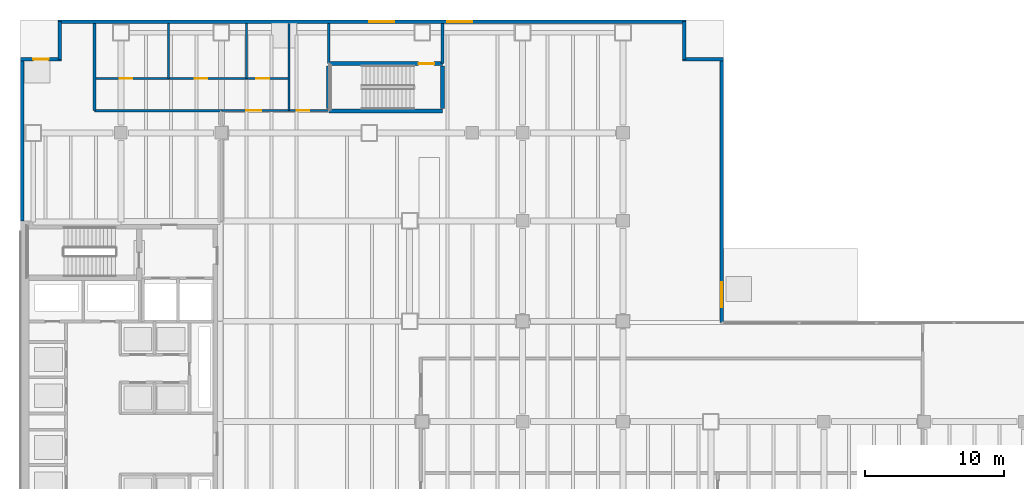
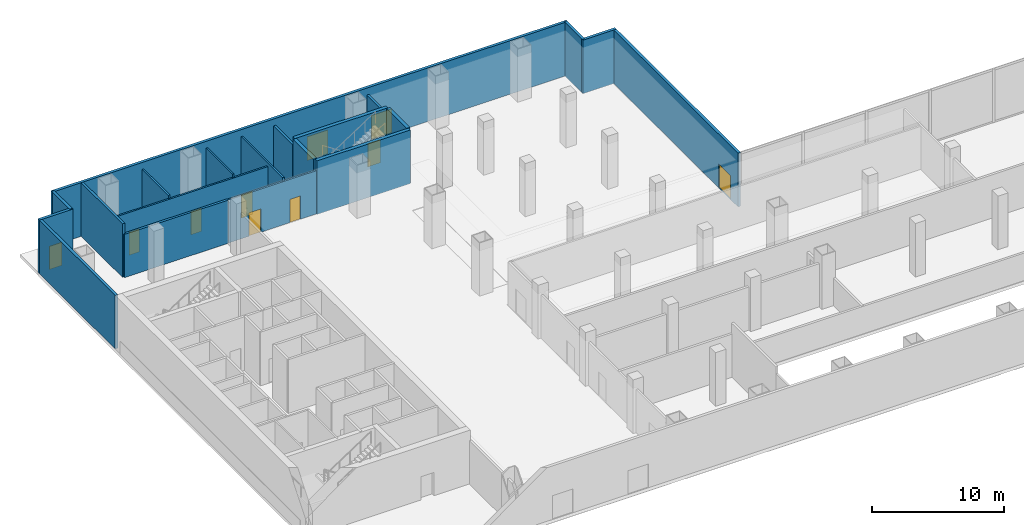
# One storey, part 12 of 17: 20 walls, 10 doors, 10 openings.
"""IFC4 building model written with IfcOpenShell, lengths in metres."""

from ifc_helpers import new_model, si_unit, direction, frame, frame_2d, origin, place, context, subcontext, project, spatial, rectangle, extrude, material, layer, layer_set, type_object, element, fill, save


model = new_model("IFC4")

# Units and contexts
model_context = context("Model", 3, precision=1e-05, world=origin(), true_north=direction((0.0, 1.0)))
body_context = subcontext(model_context, "Body", "Model", "MODEL_VIEW")
ifc_project = project(units=[si_unit("LENGTHUNIT", "METRE"), si_unit("AREAUNIT", "SQUARE_METRE"), si_unit("VOLUMEUNIT", "CUBIC_METRE"), si_unit("PLANEANGLEUNIT", "RADIAN"), si_unit("MASSUNIT", "GRAM", prefix="KILO")], contexts=[model_context])

# Site, building, storey
site_placement = place(None, origin())
site = spatial("IfcSite", under=ifc_project, at=site_placement, CompositionType="ELEMENT")
building_placement = place(site_placement, origin())
building = spatial("IfcBuilding", under=site, at=building_placement, Name="Cobrela Telecom Tower", CompositionType="ELEMENT")
storey_placement = place(building_placement, origin())
storey = spatial("IfcBuildingStorey", under=building, at=storey_placement, Name="L00", CompositionType="ELEMENT", Elevation=0.0)

# Wall
ifc_material_1 = material(Name="Concrete C40/50", Category="concrete")
ifc_layer_1 = layer(ifc_material_1, 0.239990234375)
ifc_layer_set_1 = layer_set([ifc_layer_1], Name="Concrete C40/50")
wall_type_1 = type_object("IfcWallType", Name="WALL-EXT-300", PredefinedType="STANDARD", material=ifc_layer_set_1)
wall_1_placement = place(storey_placement, frame((0.1201171875, 36.0, 0.0), z_axis=(0.0, 0.0, 1.0), x_axis=(0.0, 1.0, 0.0)))
element("IfcWall", 1, at=wall_1_placement, inside=storey, type_object=wall_type_1, Name="L00 Concourse Exterior Portal Wall 04", PredefinedType="STANDARD", context=body_context, shape_type="SweptSolid", body=[
    extrude(rectangle(XDim=11.580078125, YDim=0.239990234375, at=frame_2d((5.7900390625, 0.0))), origin(), (0.0, 0.0, 1.0), 4.949951171875),
])

# Wall, opening, door
wall_2_placement = place(storey_placement, frame((0.0, 47.580078125, 0.0), z_axis=(0.0, 0.0, 1.0), x_axis=(1.0, 0.0, 0.0)))
wall_2 = element("IfcWall", 2, at=wall_2_placement, inside=storey, type_object=wall_type_1, Name="L00 Concourse Exterior Portal Wall 05", PredefinedType="STANDARD", context=body_context, shape_type="SweptSolid", body=[
    extrude(rectangle(XDim=2.93994140625, YDim=0.239990234375, at=frame_2d((1.469970703125, 0.0))), origin(), (0.0, 0.0, 1.0), 4.949951171875),
])
opening_1_placement = place(wall_2_placement, frame((0.919921875, 0.0, 0.0)))
opening_1 = element("IfcOpeningElement", 3, at=opening_1_placement, cuts=wall_2, Name="Opening ED-3", PredefinedType="OPENING", context=body_context, shape_type="SweptSolid", body=[
    extrude(rectangle(XDim=1.10009765625, YDim=2.14990234375, at=frame_2d((0.550048828125, 1.074951171875))), frame((0.0, 0.1318359375, 0.0), z_axis=(0.0, -1.0, 0.0), x_axis=(1.0, 0.0, 0.0)), (0.0, 0.0, 1.0), 0.263916015625),
])
ifc_material_2 = material(Name="Anodized Bronze Aluminium 6063-T6", Category="aluminium")
door_type_1 = type_object("IfcDoorType", Name="DOOR-EXT-1100", OperationType="SINGLE_SWING_LEFT", PredefinedType="DOOR", material=ifc_material_2)
door_1_placement = place(opening_1_placement, origin())
door_1 = element("IfcDoor", 4, at=door_1_placement, inside=storey, type_object=door_type_1, Name="L00 Door ED-3", OperationType="SINGLE_SWING_LEFT", OverallHeight=2.14990234375, OverallWidth=1.10009765625, PredefinedType="DOOR", context=body_context, shape_type="SweptSolid", body=[
    extrude(rectangle(XDim=1.10009765625, YDim=2.14990234375, at=frame_2d((0.550048828125, 1.074951171875))), frame((0.0, 0.02490234375, 0.0), z_axis=(0.0, -1.0, 0.0), x_axis=(1.0, 0.0, 0.0)), (0.0, 0.0, 1.0), 0.050048828125),
])
fill(opening_1, door_1)

# Wall
wall_3_placement = place(storey_placement, frame((2.820068359375, 47.580078125, 0.0), z_axis=(0.0, 0.0, 1.0), x_axis=(0.0, 1.0, 0.0)))
element("IfcWall", 5, at=wall_3_placement, inside=storey, type_object=wall_type_1, Name="L00 Concourse Exterior Portal Wall 06", PredefinedType="STANDARD", context=body_context, shape_type="SweptSolid", body=[
    extrude(rectangle(XDim=2.699951171875, YDim=0.239990234375, at=frame_2d((1.35009765625, 0.0))), origin(), (0.0, 0.0, 1.0), 4.949951171875),
])

# Wall, openings, doors
wall_4_placement = place(storey_placement, frame((2.699951171875, 50.280029296875, 0.0), z_axis=(0.0, 0.0, 1.0), x_axis=(1.0, 0.0, 0.0)))
wall_4 = element("IfcWall", 6, at=wall_4_placement, inside=storey, type_object=wall_type_1, Name="L00 Concourse Exterior Portal Wall 07", PredefinedType="STANDARD", context=body_context, shape_type="SweptSolid", body=[
    extrude(rectangle(XDim=45.0, YDim=0.239990234375, at=frame_2d((22.5, 0.0))), origin(), (0.0, 0.0, 1.0), 4.949951171875),
])
opening_2_placement = place(wall_4_placement, frame((22.300048828125, 0.0, 0.0)))
opening_2 = element("IfcOpeningElement", 7, at=opening_2_placement, cuts=wall_4, Name="Opening ED-1", PredefinedType="OPENING", context=body_context, shape_type="SweptSolid", body=[
    extrude(rectangle(XDim=1.800048828125, YDim=2.199951171875, at=frame_2d((0.89990234375, 1.10009765625))), frame((0.0, 0.1318359375, 0.0), z_axis=(0.0, -1.0, 0.0), x_axis=(1.0, 0.0, 0.0)), (0.0, 0.0, 1.0), 0.263916015625),
])
opening_3_placement = place(wall_4_placement, frame((27.89990234375, 0.0, 0.0)))
opening_3 = element("IfcOpeningElement", 8, at=opening_3_placement, cuts=wall_4, Name="Opening ED-1", PredefinedType="OPENING", context=body_context, shape_type="SweptSolid", body=[
    extrude(rectangle(XDim=1.800048828125, YDim=2.199951171875, at=frame_2d((0.89990234375, 1.10009765625))), frame((0.0, 0.1318359375, 0.0), z_axis=(0.0, -1.0, 0.0), x_axis=(1.0, 0.0, 0.0)), (0.0, 0.0, 1.0), 0.263916015625),
])
door_type_2 = type_object("IfcDoorType", Name="DOOR-EXT-DBL-1800", OperationType="SINGLE_SWING_LEFT", PredefinedType="DOOR", material=ifc_material_2)
door_2_placement = place(opening_2_placement, origin())
door_2 = element("IfcDoor", 9, at=door_2_placement, inside=storey, type_object=door_type_2, Name="L00 Podium Stair ST3 Street Exit Door", OperationType="DOUBLE_DOOR_SINGLE_SWING", OverallHeight=2.199951171875, OverallWidth=1.800048828125, PredefinedType="DOOR", context=body_context, shape_type="SweptSolid", body=[
    extrude(rectangle(XDim=1.800048828125, YDim=2.199951171875, at=frame_2d((0.89990234375, 1.10009765625))), frame((0.0, 0.02490234375, 0.0), z_axis=(0.0, -1.0, 0.0), x_axis=(1.0, 0.0, 0.0)), (0.0, 0.0, 1.0), 0.050048828125),
])
fill(opening_2, door_2)
door_3_placement = place(opening_3_placement, origin())
door_3 = element("IfcDoor", 10, at=door_3_placement, inside=storey, type_object=door_type_2, Name="L00 North Public Concourse Entry Door 1", OperationType="DOUBLE_DOOR_SINGLE_SWING", OverallHeight=2.199951171875, OverallWidth=1.800048828125, PredefinedType="DOOR", context=body_context, shape_type="SweptSolid", body=[
    extrude(rectangle(XDim=1.800048828125, YDim=2.199951171875, at=frame_2d((0.89990234375, 1.10009765625))), frame((0.0, 0.02490234375, 0.0), z_axis=(0.0, -1.0, 0.0), x_axis=(1.0, 0.0, 0.0)), (0.0, 0.0, 1.0), 0.050048828125),
])
fill(opening_3, door_3)

# Walls
wall_5_placement = place(storey_placement, frame((47.580078125, 50.280029296875, 0.0), z_axis=(0.0, 0.0, 1.0), x_axis=(0.0, -1.0, 0.0)))
element("IfcWall", 11, at=wall_5_placement, inside=storey, type_object=wall_type_1, Name="L00 Concourse Exterior Portal Wall 08", PredefinedType="STANDARD", context=body_context, shape_type="SweptSolid", body=[
    extrude(rectangle(XDim=2.699951171875, YDim=0.239990234375, at=frame_2d((1.35009765625, 0.0))), origin(), (0.0, 0.0, 1.0), 4.949951171875),
])
wall_6_placement = place(storey_placement, frame((47.4599609375, 47.580078125, 0.0), z_axis=(0.0, 0.0, 1.0), x_axis=(1.0, 0.0, 0.0)))
element("IfcWall", 12, at=wall_6_placement, inside=storey, type_object=wall_type_1, Name="L00 Concourse Exterior Portal Wall 09", PredefinedType="STANDARD", context=body_context, shape_type="SweptSolid", body=[
    extrude(rectangle(XDim=2.93994140625, YDim=0.239990234375, at=frame_2d((1.469970703125, 0.0))), origin(), (0.0, 0.0, 1.0), 4.949951171875),
])

# Wall, opening, door
wall_7_placement = place(storey_placement, frame((50.280029296875, 47.580078125, 0.0), z_axis=(0.0, 0.0, 1.0), x_axis=(0.0, -1.0, 0.0)))
wall_7 = element("IfcWall", 13, at=wall_7_placement, inside=storey, type_object=wall_type_1, Name="L00 Concourse Exterior Portal Wall 10", PredefinedType="STANDARD", context=body_context, shape_type="SweptSolid", body=[
    extrude(rectangle(XDim=18.900146484375, YDim=0.239990234375, at=frame_2d((9.4501953125, 0.0))), origin(), (0.0, 0.0, 1.0), 4.949951171875),
])
opening_4_placement = place(wall_7_placement, frame((15.97998046875, 0.0, 0.0)))
opening_4 = element("IfcOpeningElement", 14, at=opening_4_placement, cuts=wall_7, Name="Opening ED-1", PredefinedType="OPENING", context=body_context, shape_type="SweptSolid", body=[
    extrude(rectangle(XDim=1.800048828125, YDim=2.199951171875, at=frame_2d((0.89990234375, 1.10009765625))), frame((0.0, 0.1318359375, 0.0), z_axis=(0.0, -1.0, 0.0), x_axis=(1.0, 0.0, 0.0)), (0.0, 0.0, 1.0), 0.263916015625),
])
door_4_placement = place(opening_4_placement, origin())
door_4 = element("IfcDoor", 15, at=door_4_placement, inside=storey, type_object=door_type_2, Name="L00 North-East Plaza Concourse Entry Door 2", OperationType="DOUBLE_DOOR_SINGLE_SWING", OverallHeight=2.199951171875, OverallWidth=1.800048828125, PredefinedType="DOOR", context=body_context, shape_type="SweptSolid", body=[
    extrude(rectangle(XDim=1.800048828125, YDim=2.199951171875, at=frame_2d((0.89990234375, 1.10009765625))), frame((0.0, 0.02490234375, 0.0), z_axis=(0.0, -1.0, 0.0), x_axis=(1.0, 0.0, 0.0)), (0.0, 0.0, 1.0), 0.050048828125),
])
fill(opening_4, door_4)

# Wall, openings, doors
ifc_material_3 = material(Name="Fire-Rated Gypsum Plasterboard")
ifc_layer_2 = layer(ifc_material_3, 0.14990234375)
ifc_layer_set_2 = layer_set([ifc_layer_2], Name="Fire-Rated Gypsum Plasterboard")
wall_type_2 = type_object("IfcWallType", Name="WALL-PART-150", PredefinedType="PARTITIONING", material=ifc_layer_set_2)
wall_8_placement = place(storey_placement, frame((14.39990234375, 43.89990234375, 0.0), z_axis=(0.0, 0.0, 1.0), x_axis=(1.0, 0.0, 0.0)))
wall_8 = element("IfcWall", 16, at=wall_8_placement, inside=storey, type_object=wall_type_2, Name="L00 Interior Partition W-L00WC-S", PredefinedType="PARTITIONING", context=body_context, shape_type="SweptSolid", body=[
    extrude(rectangle(XDim=7.7001953125, YDim=0.14990234375, at=frame_2d((3.85009765625, 0.0))), origin(), (0.0, 0.0, 1.0), 3.988037109375),
])
opening_5_placement = place(wall_8_placement, frame((1.800048828125, 0.0, 0.0)))
opening_5 = element("IfcOpeningElement", 17, at=opening_5_placement, cuts=wall_8, Name="Opening DR-29", PredefinedType="OPENING", context=body_context, shape_type="SweptSolid", body=[
    extrude(rectangle(XDim=1.050048828125, YDim=2.14990234375, at=frame_2d((0.52490234375, 1.074951171875))), frame((0.0, 0.0869140625, 0.0), z_axis=(0.0, -1.0, 0.0), x_axis=(1.0, 0.0, 0.0)), (0.0, 0.0, 1.0), 0.173828125),
])
opening_6_placement = place(wall_8_placement, frame((5.39990234375, 0.0, 0.0)))
opening_6 = element("IfcOpeningElement", 18, at=opening_6_placement, cuts=wall_8, Name="Opening DR-41", PredefinedType="OPENING", context=body_context, shape_type="SweptSolid", body=[
    extrude(rectangle(XDim=0.89990234375, YDim=2.14990234375, at=frame_2d((0.449951171875, 1.074951171875))), frame((0.0, 0.0869140625, 0.0), z_axis=(0.0, -1.0, 0.0), x_axis=(1.0, 0.0, 0.0)), (0.0, 0.0, 1.0), 0.173828125),
])
ifc_material_4 = material(Name="Solid Engineered Oak Timber", Category="wood")
door_type_3 = type_object("IfcDoorType", Name="DOOR-INT-1050", OperationType="SINGLE_SWING_LEFT", PredefinedType="DOOR", material=ifc_material_4)
door_5_placement = place(opening_5_placement, origin())
door_5 = element("IfcDoor", 19, at=door_5_placement, inside=storey, type_object=door_type_3, Name="L00 Door DR-29", OperationType="SINGLE_SWING_LEFT", OverallHeight=2.14990234375, OverallWidth=1.050048828125, PredefinedType="DOOR", context=body_context, shape_type="SweptSolid", body=[
    extrude(rectangle(XDim=1.050048828125, YDim=2.14990234375, at=frame_2d((0.52490234375, 1.074951171875))), frame((0.0, 0.02490234375, 0.0), z_axis=(0.0, -1.0, 0.0), x_axis=(1.0, 0.0, 0.0)), (0.0, 0.0, 1.0), 0.050048828125),
])
fill(opening_5, door_5)
door_type_4 = type_object("IfcDoorType", Name="DOOR-INT-900", OperationType="SINGLE_SWING_LEFT", PredefinedType="DOOR", material=ifc_material_4)
door_6_placement = place(opening_6_placement, origin())
door_6 = element("IfcDoor", 20, at=door_6_placement, inside=storey, type_object=door_type_4, Name="L00 Door DR-41", OperationType="SINGLE_SWING_RIGHT", OverallHeight=2.14990234375, OverallWidth=0.89990234375, PredefinedType="DOOR", context=body_context, shape_type="SweptSolid", body=[
    extrude(rectangle(XDim=0.89990234375, YDim=2.14990234375, at=frame_2d((0.449951171875, 1.074951171875))), frame((0.0, 0.02490234375, 0.0), z_axis=(0.0, -1.0, 0.0), x_axis=(1.0, 0.0, 0.0)), (0.0, 0.0, 1.0), 0.050048828125),
])
fill(opening_6, door_6)

# Walls
for number, where, z_axis, x_axis, name in (
    (21, (10.60009765625, 46.199951171875, 0.0), (0.0, 0.0, 1.0), (0.0, 1.0, 0.0), "L00 Interior Partition W-L00WC-1"),
    (22, (16.199951171875, 46.199951171875, 0.0), (0.0, 0.0, 1.0), (0.0, 1.0, 0.0), "L00 Interior Partition W-L00WC-2"),
):
    element("IfcWall", number, at=place(storey_placement, frame(where, z_axis=z_axis, x_axis=x_axis)), inside=storey, type_object=wall_type_2, Name=name, PredefinedType="PARTITIONING", context=body_context, shape_type="SweptSolid", body=[
        extrude(rectangle(XDim=3.9599609375, YDim=0.14990234375, at=frame_2d((1.97998046875, 0.0))), origin(), (0.0, 0.0, 1.0), 4.31298828125),
    ])
wall_9_placement = place(storey_placement, frame((19.25, 43.89990234375, 0.0), z_axis=(0.0, 0.0, 1.0), x_axis=(0.0, 1.0, 0.0)))
element("IfcWall", 23, at=wall_9_placement, inside=storey, type_object=wall_type_2, Name="L00 Interior Partition W-L00WC-3", PredefinedType="PARTITIONING", context=body_context, shape_type="SweptSolid", body=[
    extrude(rectangle(XDim=6.260009765625, YDim=0.14990234375, at=frame_2d((3.1298828125, 0.0))), origin(), (0.0, 0.0, 1.0), 4.31298828125),
])

# Wall, openings, doors
wall_10_placement = place(storey_placement, frame((5.300048828125, 46.199951171875, 0.0), z_axis=(0.0, 0.0, 1.0), x_axis=(1.0, 0.0, 0.0)))
wall_10 = element("IfcWall", 24, at=wall_10_placement, inside=storey, type_object=wall_type_2, Name="L00 Interior Partition W-L00WC-H", PredefinedType="PARTITIONING", context=body_context, shape_type="SweptSolid", body=[
    extrude(rectangle(XDim=13.949951171875, YDim=0.14990234375, at=frame_2d((6.97509765625, 0.0))), origin(), (0.0, 0.0, 1.0), 3.988037109375),
])
opening_7_placement = place(wall_10_placement, frame((1.800048828125, 0.0, 0.0)))
opening_7 = element("IfcOpeningElement", 25, at=opening_7_placement, cuts=wall_10, Name="Opening DR-41", PredefinedType="OPENING", context=body_context, shape_type="SweptSolid", body=[
    extrude(rectangle(XDim=0.89990234375, YDim=2.14990234375, at=frame_2d((0.449951171875, 1.074951171875))), frame((0.0, 0.0869140625, 0.0), z_axis=(0.0, -1.0, 0.0), x_axis=(1.0, 0.0, 0.0)), (0.0, 0.0, 1.0), 0.173828125),
])
opening_8_placement = place(wall_10_placement, frame((7.199951171875, 0.0, 0.0)))
opening_8 = element("IfcOpeningElement", 26, at=opening_8_placement, cuts=wall_10, Name="Opening DR-41", PredefinedType="OPENING", context=body_context, shape_type="SweptSolid", body=[
    extrude(rectangle(XDim=0.89990234375, YDim=2.14990234375, at=frame_2d((0.449951171875, 1.074951171875))), frame((0.0, 0.0869140625, 0.0), z_axis=(0.0, -1.0, 0.0), x_axis=(1.0, 0.0, 0.0)), (0.0, 0.0, 1.0), 0.173828125),
])
opening_9_placement = place(wall_10_placement, frame((11.60009765625, 0.0, 0.0)))
opening_9 = element("IfcOpeningElement", 27, at=opening_9_placement, cuts=wall_10, Name="Opening DR-67", PredefinedType="OPENING", context=body_context, shape_type="SweptSolid", body=[
    extrude(rectangle(XDim=0.949951171875, YDim=2.14990234375, at=frame_2d((0.47509765625, 1.074951171875))), frame((0.0, 0.0869140625, 0.0), z_axis=(0.0, -1.0, 0.0), x_axis=(1.0, 0.0, 0.0)), (0.0, 0.0, 1.0), 0.173828125),
])
door_7_placement = place(opening_7_placement, origin())
door_7 = element("IfcDoor", 28, at=door_7_placement, inside=storey, type_object=door_type_4, Name="L00 Door DR-41", OperationType="SINGLE_SWING_LEFT", OverallHeight=2.14990234375, OverallWidth=0.89990234375, PredefinedType="DOOR", context=body_context, shape_type="SweptSolid", body=[
    extrude(rectangle(XDim=0.89990234375, YDim=2.14990234375, at=frame_2d((0.449951171875, 1.074951171875))), frame((0.0, 0.02490234375, 0.0), z_axis=(0.0, -1.0, 0.0), x_axis=(1.0, 0.0, 0.0)), (0.0, 0.0, 1.0), 0.050048828125),
])
fill(opening_7, door_7)
door_8_placement = place(opening_8_placement, origin())
door_8 = element("IfcDoor", 29, at=door_8_placement, inside=storey, type_object=door_type_4, Name="L00 Door DR-41", OperationType="SINGLE_SWING_RIGHT", OverallHeight=2.14990234375, OverallWidth=0.89990234375, PredefinedType="DOOR", context=body_context, shape_type="SweptSolid", body=[
    extrude(rectangle(XDim=0.89990234375, YDim=2.14990234375, at=frame_2d((0.449951171875, 1.074951171875))), frame((0.0, 0.02490234375, 0.0), z_axis=(0.0, -1.0, 0.0), x_axis=(1.0, 0.0, 0.0)), (0.0, 0.0, 1.0), 0.050048828125),
])
fill(opening_8, door_8)
door_type_5 = type_object("IfcDoorType", Name="DOOR-INT-950", OperationType="SINGLE_SWING_LEFT", PredefinedType="DOOR", material=ifc_material_4)
door_9_placement = place(opening_9_placement, origin())
door_9 = element("IfcDoor", 30, at=door_9_placement, inside=storey, type_object=door_type_5, Name="L00 Door DR-67", OperationType="SINGLE_SWING_LEFT", OverallHeight=2.14990234375, OverallWidth=0.949951171875, PredefinedType="DOOR", context=body_context, shape_type="SweptSolid", body=[
    extrude(rectangle(XDim=0.949951171875, YDim=2.14990234375, at=frame_2d((0.47509765625, 1.074951171875))), frame((0.0, 0.02490234375, 0.0), z_axis=(0.0, -1.0, 0.0), x_axis=(1.0, 0.0, 0.0)), (0.0, 0.0, 1.0), 0.050048828125),
])
fill(opening_9, door_9)

# Walls
ifc_layer_3 = layer(ifc_material_3, 0.199951171875)
ifc_layer_set_3 = layer_set([ifc_layer_3], Name="Fire-Rated Gypsum Plasterboard")
wall_type_3 = type_object("IfcWallType", Name="WALL-SHAFT-200", PredefinedType="PARTITIONING", material=ifc_layer_set_3)
for number, where, z_axis, x_axis, name in (
    (31, (22.10009765625, 47.27001953125, 0.0), (0.0, 0.0, 1.0), (0.0, 1.0, 0.0), "L00 Shaft Enclosure W-ST3-VW"),
    (32, (30.25, 47.27001953125, 0.0), (0.0, 0.0, 1.0), (0.0, 1.0, 0.0), "L00 Shaft Enclosure W-ST3-VE"),
):
    element("IfcWall", number, at=place(storey_placement, frame(where, z_axis=z_axis, x_axis=x_axis)), inside=storey, type_object=wall_type_3, Name=name, PredefinedType="PARTITIONING", context=body_context, shape_type="SweptSolid", body=[
        extrude(rectangle(XDim=2.889892578125, YDim=0.199951171875, at=frame_2d((1.44482421875, 0.0))), origin(), (0.0, 0.0, 1.0), 4.31298828125),
    ])
wall_11_placement = place(storey_placement, frame((5.300048828125, 43.89990234375, 0.0), z_axis=(0.0, 0.0, 1.0), x_axis=(1.0, 0.0, 0.0)))
element("IfcWall", 33, at=wall_11_placement, inside=storey, type_object=wall_type_3, Name="L00 Shaft Enclosure W-EXN-N", PredefinedType="PARTITIONING", context=body_context, shape_type="SweptSolid", body=[
    extrude(rectangle(XDim=9.099853515625, YDim=0.199951171875, at=frame_2d((4.5498046875, 0.0))), origin(), (0.0, 0.0, 1.0), 3.988037109375),
])
wall_12_placement = place(storey_placement, frame((5.300048828125, 43.89990234375, 0.0), z_axis=(0.0, 0.0, 1.0), x_axis=(0.0, 1.0, 0.0)))
element("IfcWall", 34, at=wall_12_placement, inside=storey, type_object=wall_type_3, Name="L00 Shaft Enclosure W-EXN-NW", PredefinedType="PARTITIONING", context=body_context, shape_type="SweptSolid", body=[
    extrude(rectangle(XDim=6.260009765625, YDim=0.199951171875, at=frame_2d((3.1298828125, 0.0))), origin(), (0.0, 0.0, 1.0), 4.949951171875),
])
ifc_layer_4 = layer(ifc_material_1, 0.39990234375)
ifc_layer_set_4 = layer_set([ifc_layer_4], Name="Concrete C40/50")
wall_type_4 = type_object("IfcWallType", Name="WALL-SHAFT-C40-400", PredefinedType="SHEAR", material=ifc_layer_set_4)
wall_13_placement = place(storey_placement, frame((22.10009765625, 43.8798828125, 0.0), z_axis=(0.0, 0.0, 1.0), x_axis=(1.0, 0.0, 0.0)))
element("IfcWall", 35, at=wall_13_placement, inside=storey, type_object=wall_type_4, Name="L00 Podium Stair ST3 South Shear Wall", PredefinedType="SHEAR", context=body_context, shape_type="SweptSolid", body=[
    extrude(rectangle(XDim=8.14990234375, YDim=0.300048828125, at=frame_2d((4.074951171875, 0.0))), origin(), (0.0, 0.0, 1.0), 4.949951171875),
])

# Wall, opening, door
wall_14_placement = place(storey_placement, frame((22.10009765625, 47.27001953125, 0.0), z_axis=(0.0, 0.0, 1.0), x_axis=(1.0, 0.0, 0.0)))
wall_14 = element("IfcWall", 36, at=wall_14_placement, inside=storey, type_object=wall_type_4, Name="L00 Podium Stair ST3 North Shear Wall", PredefinedType="SHEAR", context=body_context, shape_type="SweptSolid", body=[
    extrude(rectangle(XDim=8.14990234375, YDim=0.300048828125, at=frame_2d((4.074951171875, 0.0))), origin(), (0.0, 0.0, 1.0), 4.949951171875),
])
opening_10_placement = place(wall_14_placement, frame((6.449951171875, 0.0, 0.0)))
opening_10 = element("IfcOpeningElement", 37, at=opening_10_placement, cuts=wall_14, Name="Opening FD-90", PredefinedType="OPENING", context=body_context, shape_type="SweptSolid", body=[
    extrude(rectangle(XDim=1.10009765625, YDim=2.14990234375, at=frame_2d((0.550048828125, 1.074951171875))), frame((0.0, 0.162109375, 0.0), z_axis=(0.0, -1.0, 0.0), x_axis=(1.0, 0.0, 0.0)), (0.0, 0.0, 1.0), 0.323974609375),
])
ifc_material_5 = material(Name="Steel ASTM A36", Category="steel")
door_type_6 = type_object("IfcDoorType", Name="DOOR-FD90-1100", OperationType="SINGLE_SWING_LEFT", PredefinedType="DOOR", material=ifc_material_5)
door_10_placement = place(opening_10_placement, origin())
door_10 = element("IfcDoor", 38, at=door_10_placement, inside=storey, type_object=door_type_6, Name="L00 Door FD-90", OperationType="SINGLE_SWING_RIGHT", OverallHeight=2.14990234375, OverallWidth=1.10009765625, PredefinedType="DOOR", context=body_context, shape_type="SweptSolid", body=[
    extrude(rectangle(XDim=1.10009765625, YDim=2.14990234375, at=frame_2d((0.550048828125, 1.074951171875))), frame((0.0, 0.02490234375, 0.0), z_axis=(0.0, -1.0, 0.0), x_axis=(1.0, 0.0, 0.0)), (0.0, 0.0, 1.0), 0.050048828125),
])
fill(opening_10, door_10)

# Walls
for number, where, z_axis, x_axis, name in (
    (39, (22.10009765625, 44.050048828125, 0.0), (0.0, 0.0, 1.0), (0.0, 1.0, 0.0), "L00 Podium Stair ST3 West Shear Wall"),
    (40, (30.25, 44.050048828125, 0.0), (0.0, 0.0, 1.0), (0.0, 1.0, 0.0), "L00 Podium Stair ST3 East Shear Wall"),
):
    element("IfcWall", number, at=place(storey_placement, frame(where, z_axis=z_axis, x_axis=x_axis)), inside=storey, type_object=wall_type_4, Name=name, PredefinedType="SHEAR", context=body_context, shape_type="SweptSolid", body=[
        extrude(rectangle(XDim=3.050048828125, YDim=0.300048828125, at=frame_2d((1.52490234375, 0.0))), origin(), (0.0, 0.0, 1.0), 4.949951171875),
    ])

save(model, "model.ifc")
